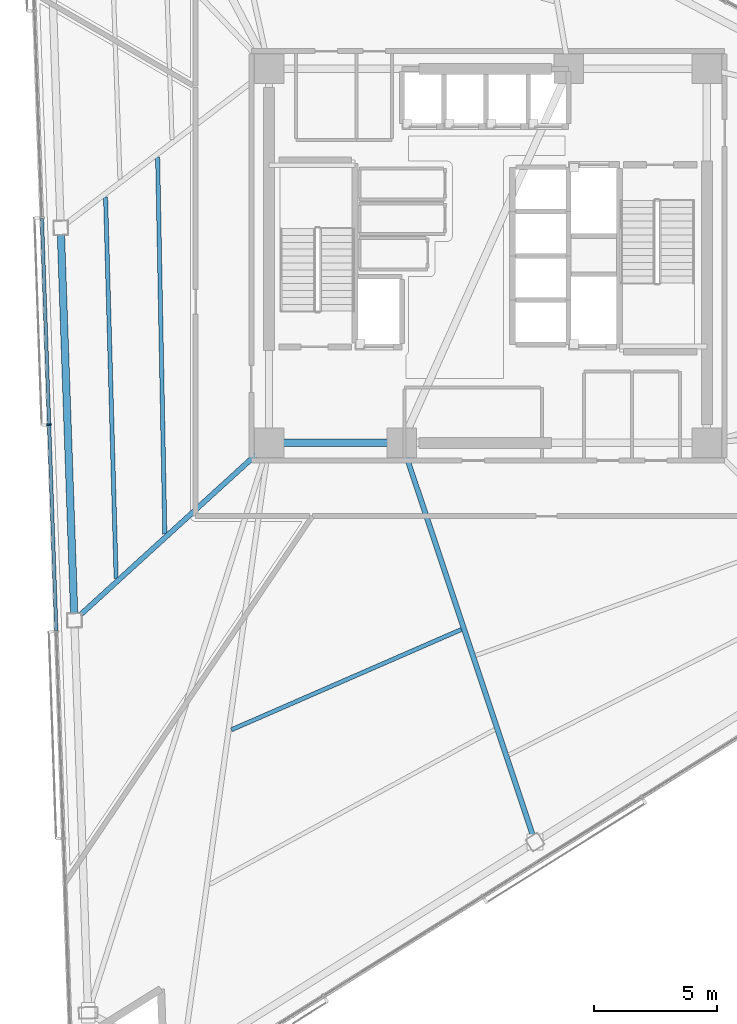
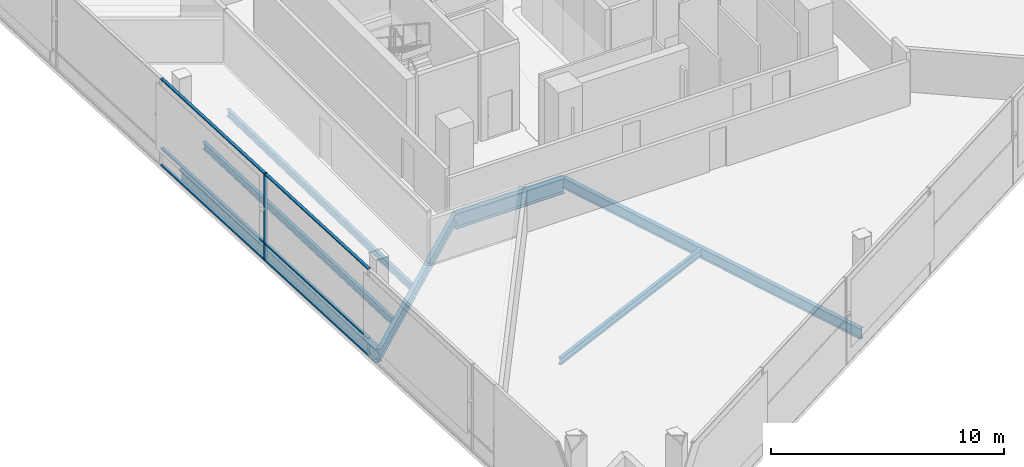
# One storey, part 4 of 19: 7 beams, 7 members, 1 element without a shape of its own.
"""IFC4 building model written with IfcOpenShell, lengths in metres."""

from ifc_helpers import new_model, si_unit, direction, frame, origin, origin_2d, place, context, subcontext, project, spatial, rectangle, i_section, extrude, material, layer, layer_set, material_profile, profile_set, type_object, element, aggregate, save


model = new_model("IFC4")

# Units and contexts
model_context = context("Model", 3, precision=1e-05, world=origin(), true_north=direction((0.0, 1.0)))
body_context = subcontext(model_context, "Body", "Model", "MODEL_VIEW")
ifc_project = project(units=[si_unit("LENGTHUNIT", "METRE"), si_unit("AREAUNIT", "SQUARE_METRE"), si_unit("VOLUMEUNIT", "CUBIC_METRE"), si_unit("PLANEANGLEUNIT", "RADIAN"), si_unit("MASSUNIT", "GRAM", prefix="KILO")], contexts=[model_context])

# Site, building, storey
site_placement = place(None, origin())
site = spatial("IfcSite", under=ifc_project, at=site_placement, CompositionType="ELEMENT")
building_placement = place(site_placement, origin())
building = spatial("IfcBuilding", under=site, at=building_placement, Name="Tharavind Bronze Gate", CompositionType="ELEMENT")
storey_placement = place(building_placement, frame((0.0, 0.0, 160.39990234375)))
storey = spatial("IfcBuildingStorey", under=building, at=storey_placement, Name="L41", CompositionType="ELEMENT", Elevation=160.39990234375)

# Curtain wall, members
ifc_material_1 = material(Name="Anodised Bronze Aluminium", Category="aluminium")
ifc_layer = layer(ifc_material_1, 0.219970703125)
ifc_layer_set = layer_set([ifc_layer], Name="Anodised Bronze Aluminium")
curtain_wall_type = type_object("IfcCurtainWallType", Name="UNITISED CURTAIN WALL MID OFFICE", PredefinedType="USERDEFINED", material=ifc_layer_set)
curtain_wall_placement = place(storey_placement, origin())
curtain_wall = element("IfcCurtainWall", 1, at=curtain_wall_placement, inside=storey, type_object=curtain_wall_type, Name="L41 unitised curtain wall mid office CW-L41-S1", ObjectType="UNITISED CURTAIN WALL", PredefinedType="USERDEFINED")
member_type_1 = type_object("IfcMemberType", Name="CURTAIN WALL BRONZE MULLION 65X180", PredefinedType="MULLION", material=ifc_material_1)
member_1_placement = place(storey_placement, frame((-17.8388671875, -6.86376953125, 0.0), z_axis=(0.0, 0.0, 1.0), x_axis=(0.034899496703, -0.999390827019, 0.0)))
member_1 = element("IfcMember", 2, at=member_1_placement, type_object=member_type_1, Name="CW-L41-S1 mullion 4", PredefinedType="MULLION", context=body_context, shape_type="SweptSolid", body=[
    extrude(rectangle(XDim=0.06494140625, YDim=0.179931640625, at=origin_2d()), origin(), (0.0, 0.0, 1.0), 4.554931640625),
])
member_type_2 = type_object("IfcMemberType", Name="CURTAIN WALL BRONZE TRANSOM 65X140", PredefinedType="USERDEFINED", material=ifc_material_1)
member_2_placement = place(storey_placement, frame((-17.985595703125, -2.6591796875, 0.000244140625), z_axis=(0.0, 0.0, 1.0), x_axis=(0.034899496703, -0.999390827019, 0.0)))
member_2 = element("IfcMember", 3, at=member_2_placement, type_object=member_type_2, Name="CW-L41-S1 transom TB3", ObjectType="TRANSOM", PredefinedType="USERDEFINED", context=body_context, shape_type="SweptSolid", body=[
    extrude(rectangle(XDim=8.361572265625, YDim=0.139892578125, at=origin_2d()), origin(), (0.0, 0.0, 1.0), 0.06494140625),
])
member_3_placement = place(storey_placement, frame((-17.985595703125, -2.6591796875, 0.86767578125), z_axis=(0.0, 0.0, 1.0), x_axis=(0.034899496703, -0.999390827019, 0.0)))
member_3 = element("IfcMember", 4, at=member_3_placement, type_object=member_type_2, Name="CW-L41-S1 transom TS3", ObjectType="TRANSOM", PredefinedType="USERDEFINED", context=body_context, shape_type="SweptSolid", body=[
    extrude(rectangle(XDim=8.361572265625, YDim=0.139892578125, at=origin_2d()), origin(), (0.0, 0.0, 1.0), 0.06494140625),
])
member_4_placement = place(storey_placement, frame((-17.985595703125, -2.6591796875, 4.490234375), z_axis=(0.0, 0.0, 1.0), x_axis=(0.034899496703, -0.999390827019, 0.0)))
member_4 = element("IfcMember", 5, at=member_4_placement, type_object=member_type_2, Name="CW-L41-S1 transom TT3", ObjectType="TRANSOM", PredefinedType="USERDEFINED", context=body_context, shape_type="SweptSolid", body=[
    extrude(rectangle(XDim=8.361572265625, YDim=0.139892578125, at=origin_2d()), origin(), (0.0, 0.0, 1.0), 0.06494140625),
])
member_5_placement = place(storey_placement, frame((-17.69189453125, -11.068603515625, 0.000244140625), z_axis=(0.0, 0.0, 1.0), x_axis=(0.034899496703, -0.999390827019, 0.0)))
member_5 = element("IfcMember", 6, at=member_5_placement, type_object=member_type_2, Name="CW-L41-S1 transom TB4", ObjectType="TRANSOM", PredefinedType="USERDEFINED", context=body_context, shape_type="SweptSolid", body=[
    extrude(rectangle(XDim=8.361572265625, YDim=0.139892578125, at=origin_2d()), origin(), (0.0, 0.0, 1.0), 0.06494140625),
])
member_6_placement = place(storey_placement, frame((-17.69189453125, -11.068603515625, 0.86767578125), z_axis=(0.0, 0.0, 1.0), x_axis=(0.034899496703, -0.999390827019, 0.0)))
member_6 = element("IfcMember", 7, at=member_6_placement, type_object=member_type_2, Name="CW-L41-S1 transom TS4", ObjectType="TRANSOM", PredefinedType="USERDEFINED", context=body_context, shape_type="SweptSolid", body=[
    extrude(rectangle(XDim=8.361572265625, YDim=0.139892578125, at=origin_2d()), origin(), (0.0, 0.0, 1.0), 0.06494140625),
])
member_7_placement = place(storey_placement, frame((-17.69189453125, -11.068603515625, 4.490234375), z_axis=(0.0, 0.0, 1.0), x_axis=(0.034899496703, -0.999390827019, 0.0)))
member_7 = element("IfcMember", 8, at=member_7_placement, type_object=member_type_2, Name="CW-L41-S1 transom TT4", ObjectType="TRANSOM", PredefinedType="USERDEFINED", context=body_context, shape_type="SweptSolid", body=[
    extrude(rectangle(XDim=8.361572265625, YDim=0.139892578125, at=origin_2d()), origin(), (0.0, 0.0, 1.0), 0.06494140625),
])
aggregate(curtain_wall, [member_1, member_2, member_3, member_4, member_5, member_6, member_7])

# Beams
ifc_material_2 = material(Name="Steel S355", Category="steel")
ifc_material_profile_1 = material_profile(ifc_material_2, i_section(OverallWidth=0.2099609375, OverallDepth=0.550048828125, WebThickness=0.010986328125, FlangeThickness=0.01708984375, at=origin_2d()), Name="IPE550")
ifc_profile_set_1 = profile_set([ifc_material_profile_1], Name="Steel S355")
beam_type_1 = type_object("IfcBeamType", Name="PRIMARY GIRDER IPE550", PredefinedType="USERDEFINED", material=ifc_profile_set_1)
beam_1_placement = place(storey_placement, frame((-16.810791015625, -14.814208984375, -0.46484375), z_axis=(0.738898073341, 0.673817213503, 0.0), x_axis=(-0.673817213503, 0.738898073341, 0.0)))
element("IfcBeam", 9, at=beam_1_placement, inside=storey, type_object=beam_type_1, Name="L41 primary girder ipe550 BM-L41-RAD03", ObjectType="GIRDER", PredefinedType="USERDEFINED", context=body_context, shape_type="SweptSolid", body=[
    extrude(i_section(OverallWidth=0.2099609375, OverallDepth=0.550048828125, WebThickness=0.010986328125, FlangeThickness=0.01708984375, at=origin_2d()), origin(), (0.0, 0.0, 1.0), 10.706298828125),
])
beam_2_placement = place(storey_placement, frame((1.912353515625, -23.827880859375, -0.46484375), z_axis=(-0.316390459334, 0.948629051444, 0.0), x_axis=(-0.948629051444, -0.316390459334, 0.0)))
element("IfcBeam", 10, at=beam_2_placement, inside=storey, type_object=beam_type_1, Name="L41 primary girder ipe550 BM-L41-RAD06", ObjectType="GIRDER", PredefinedType="USERDEFINED", context=body_context, shape_type="SweptSolid", body=[
    extrude(i_section(OverallWidth=0.2099609375, OverallDepth=0.550048828125, WebThickness=0.010986328125, FlangeThickness=0.01708984375, at=origin_2d()), origin(), (0.0, 0.0, 1.0), 17.1064453125),
])
ifc_material_profile_2 = material_profile(ifc_material_2, i_section(OverallWidth=0.300048828125, OverallDepth=0.699951171875, WebThickness=0.01708984375, FlangeThickness=0.031982421875, at=origin_2d()), Name="HE700B")
ifc_profile_set_2 = profile_set([ifc_material_profile_2], Name="Steel S355")
beam_type_2 = type_object("IfcBeamType", Name="RING GIRDER HE700B", PredefinedType="USERDEFINED", material=ifc_profile_set_2)
beam_3_placement = place(storey_placement, frame((-17.367919921875, 1.138916015625, -0.539794921875), z_axis=(0.03490159311, -0.999390753809, 0.0), x_axis=(0.999390753809, 0.03490159311, 0.0)))
element("IfcBeam", 11, at=beam_3_placement, inside=storey, type_object=beam_type_2, Name="L41 ring girder he700b BM-L41-PRG02", ObjectType="GIRDER", PredefinedType="USERDEFINED", context=body_context, shape_type="SweptSolid", body=[
    extrude(i_section(OverallWidth=0.300048828125, OverallDepth=0.699951171875, WebThickness=0.01708984375, FlangeThickness=0.031982421875, at=origin_2d()), origin(), (0.0, 0.0, 1.0), 15.962890625),
])
ifc_material_profile_3 = material_profile(ifc_material_2, i_section(OverallWidth=0.300048828125, OverallDepth=0.800048828125, WebThickness=0.017578125, FlangeThickness=0.032958984375, at=origin_2d()), Name="HE800B")
ifc_profile_set_3 = profile_set([ifc_material_profile_3], Name="Steel S355")
beam_type_3 = type_object("IfcBeamType", Name="RING GIRDER HE800B", PredefinedType="USERDEFINED", material=ifc_profile_set_3)
beam_4_placement = place(storey_placement, frame((-8.89990234375, -7.60009765625, -0.58984375), z_axis=(1.0, 0.0, 0.0), x_axis=(0.0, 1.0, 0.0)))
element("IfcBeam", 12, at=beam_4_placement, inside=storey, type_object=beam_type_3, Name="L41 ring girder he800b BM-L41-CR1", ObjectType="GIRDER", PredefinedType="USERDEFINED", context=body_context, shape_type="SweptSolid", body=[
    extrude(i_section(OverallWidth=0.300048828125, OverallDepth=0.800048828125, WebThickness=0.017578125, FlangeThickness=0.032958984375, at=origin_2d()), origin(), (0.0, 0.0, 1.0), 5.39990234375),
])
ifc_material_profile_4 = material_profile(ifc_material_2, i_section(OverallWidth=0.169921875, OverallDepth=0.360107421875, WebThickness=0.008056640625, FlangeThickness=0.0126953125, at=origin_2d()), Name="IPE360")
ifc_profile_set_4 = profile_set([ifc_material_profile_4], Name="Steel S355")
beam_type_4 = type_object("IfcBeamType", Name="SECONDARY FLOOR JOIST IPE360", PredefinedType="JOIST", material=ifc_profile_set_4)
beam_5_placement = place(storey_placement, frame((-13.427734375, 4.00927734375, -0.369873046875), z_axis=(0.019097389541, -0.999817628227, 0.0), x_axis=(0.999817628227, 0.019097389541, 0.0)))
element("IfcBeam", 13, at=beam_5_placement, inside=storey, type_object=beam_type_4, Name="L41 secondary floor joist ipe360 BM-L41-JSTA02", PredefinedType="JOIST", context=body_context, shape_type="SweptSolid", body=[
    extrude(i_section(OverallWidth=0.169921875, OverallDepth=0.360107421875, WebThickness=0.008056640625, FlangeThickness=0.0126953125, at=origin_2d()), origin(), (0.0, 0.0, 1.0), 15.327880859375),
])
beam_6_placement = place(storey_placement, frame((-15.54345703125, 2.394775390625, -0.369873046875), z_axis=(0.027683678479, -0.999616733526, 0.0), x_axis=(0.999616733526, 0.027683678479, 0.0)))
element("IfcBeam", 14, at=beam_6_placement, inside=storey, type_object=beam_type_4, Name="L41 secondary floor joist ipe360 BM-L41-JSTB02", PredefinedType="JOIST", context=body_context, shape_type="SweptSolid", body=[
    extrude(i_section(OverallWidth=0.169921875, OverallDepth=0.360107421875, WebThickness=0.008056640625, FlangeThickness=0.0126953125, at=origin_2d()), origin(), (0.0, 0.0, 1.0), 15.521240234375),
])
beam_7_placement = place(storey_placement, frame((-10.42919921875, -19.26513671875, -0.369873046875), z_axis=(0.916635905252, 0.399723175715, 0.0), x_axis=(-0.399723175715, 0.916635905252, 0.0)))
element("IfcBeam", 15, at=beam_7_placement, inside=storey, type_object=beam_type_4, Name="L41 secondary floor joist ipe360 BM-L41-JSTA05", PredefinedType="JOIST", context=body_context, shape_type="SweptSolid", body=[
    extrude(i_section(OverallWidth=0.169921875, OverallDepth=0.360107421875, WebThickness=0.008056640625, FlangeThickness=0.0126953125, at=origin_2d()), origin(), (0.0, 0.0, 1.0), 10.195556640625),
])

save(model, "model.ifc")
